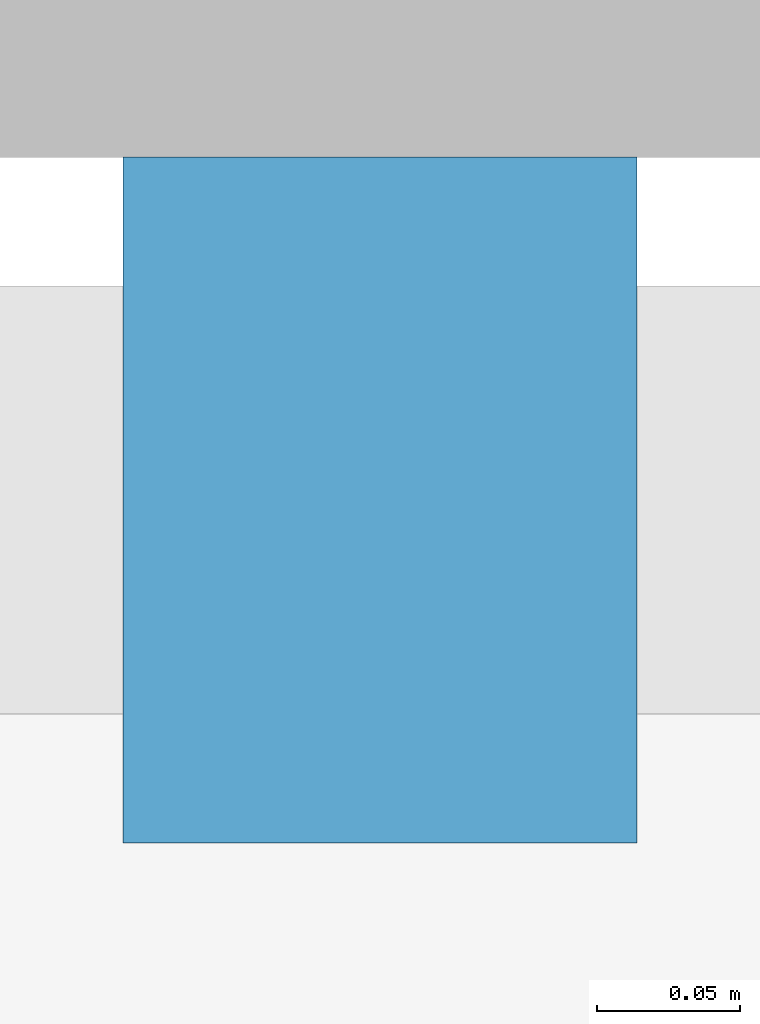
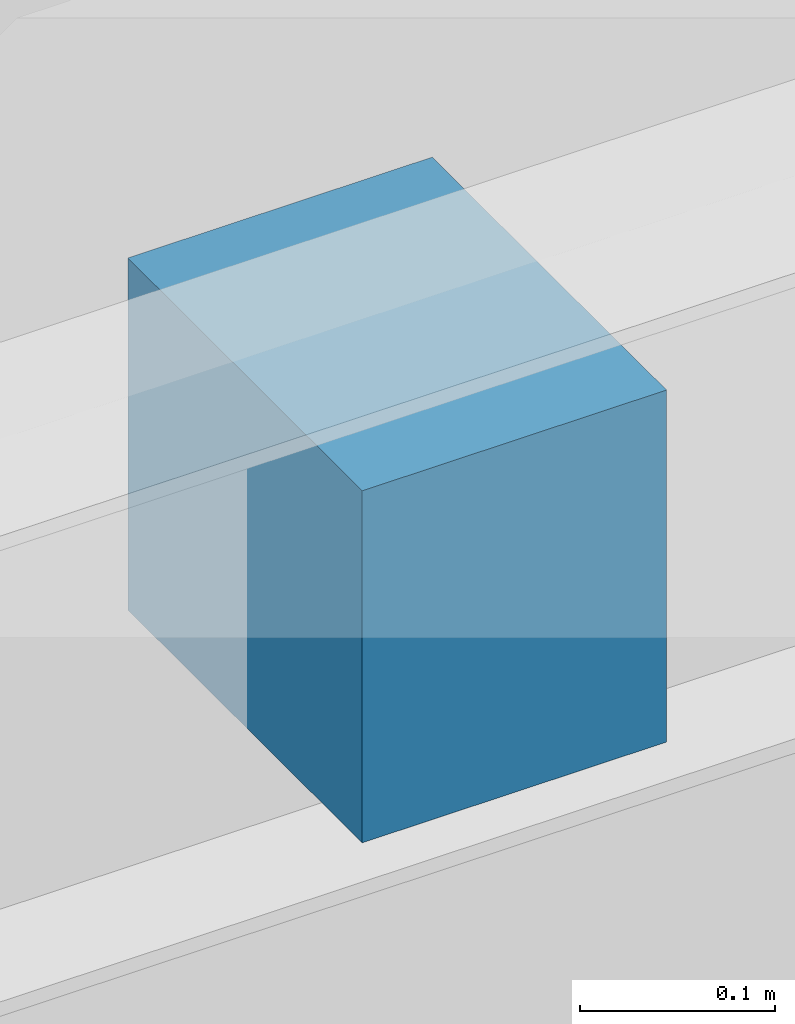
# One storey, part 13 of 19: 1 discrete accessory.
"""IFC4 building model written with IfcOpenShell, lengths in metres."""

from ifc_helpers import new_model, si_unit, direction, frame, origin, origin_2d, place, context, subcontext, project, spatial, rectangle, extrude, source, transform, mapped, material, type_object, element, save


model = new_model("IFC4")

# Units and contexts
model_context = context("Model", 3, precision=1e-05, world=origin(), true_north=direction((0.0, 1.0)))
body_context = subcontext(model_context, "Body", "Model", "MODEL_VIEW")
ifc_project = project(units=[si_unit("LENGTHUNIT", "METRE"), si_unit("AREAUNIT", "SQUARE_METRE"), si_unit("VOLUMEUNIT", "CUBIC_METRE"), si_unit("PLANEANGLEUNIT", "RADIAN"), si_unit("MASSUNIT", "GRAM", prefix="KILO")], contexts=[model_context])

# Site, building, storey
site_placement = place(None, origin())
site = spatial("IfcSite", under=ifc_project, at=site_placement, CompositionType="ELEMENT")
building_placement = place(site_placement, origin())
building = spatial("IfcBuilding", under=site, at=building_placement, Name="Liaohun Quay Tower", CompositionType="ELEMENT")
storey_placement = place(building_placement, frame((0.0, 0.0, 9.89990234375)))
storey = spatial("IfcBuildingStorey", under=building, at=storey_placement, Name="L03", CompositionType="ELEMENT", Elevation=9.89990234375)

# Discrete accessory
ifc_material = material(Name="Steel Q355D", Category="steel")
discrete_accessory_type = type_object("IfcDiscreteAccessoryType", Name="ACC-BRK-STL", PredefinedType="BRACKET", material=ifc_material)
shared_shape = source(origin(), body_context, "Body", "SweptSolid", [
    extrude(rectangle(XDim=0.179931640625, YDim=0.239990234375, at=origin_2d()), origin(), (0.0, 0.0, 1.0), 0.219970703125),
])
discrete_accessory_placement = place(storey_placement, frame((60.0, 19.080078125, 2.6201171875), z_axis=(0.0, 0.0, 1.0), x_axis=(1.0, 0.0, 0.0)))
element("IfcDiscreteAccessory", 1, at=discrete_accessory_placement, inside=storey, type_object=discrete_accessory_type, Name="L03 Terrace Canopy Cleat Bracket", PredefinedType="BRACKET", context=body_context, shape_type="MappedRepresentation", body=[
    mapped(shared_shape, transform((0.0, 0.0, 0.0), x_axis=(1.0, 0.0, 0.0), y_axis=(0.0, 1.0, 0.0), z_axis=(0.0, 0.0, 1.0), scale=1.0)),
])

save(model, "model.ifc")
